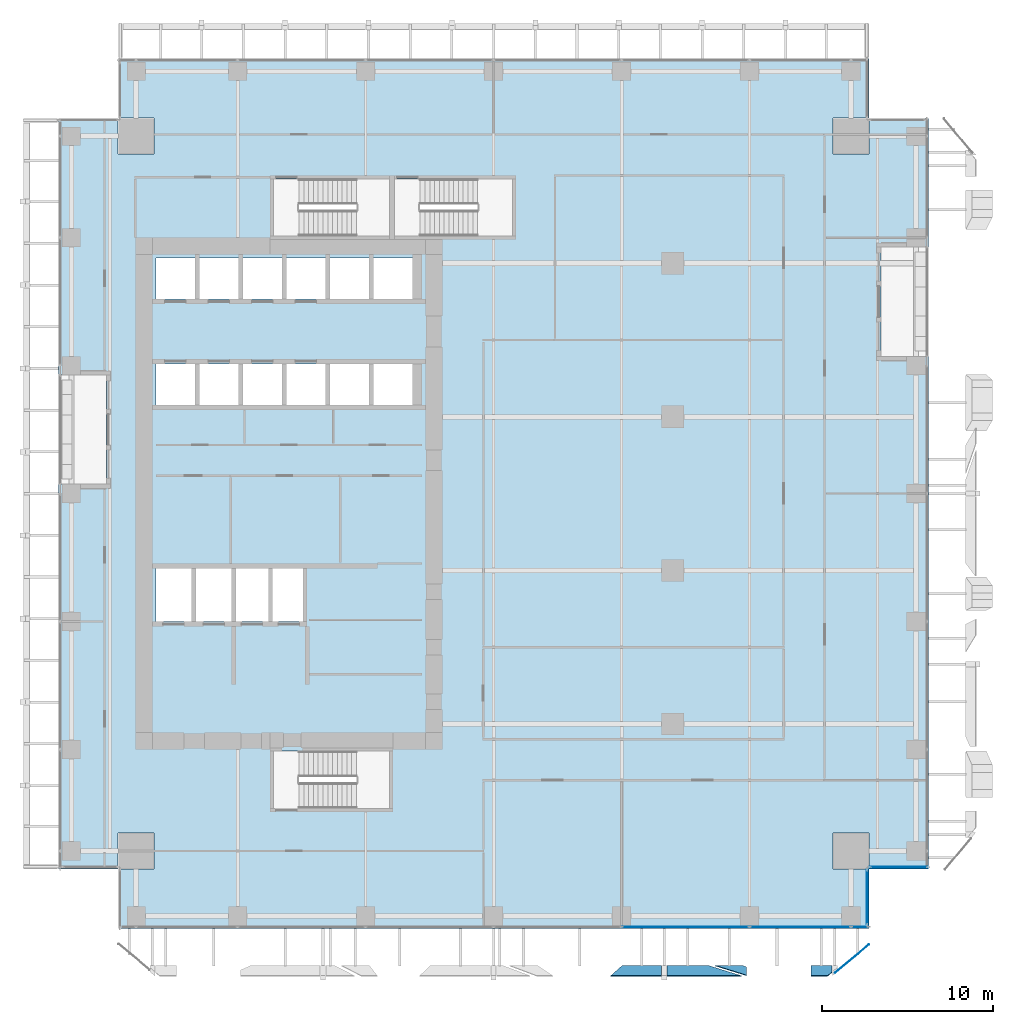
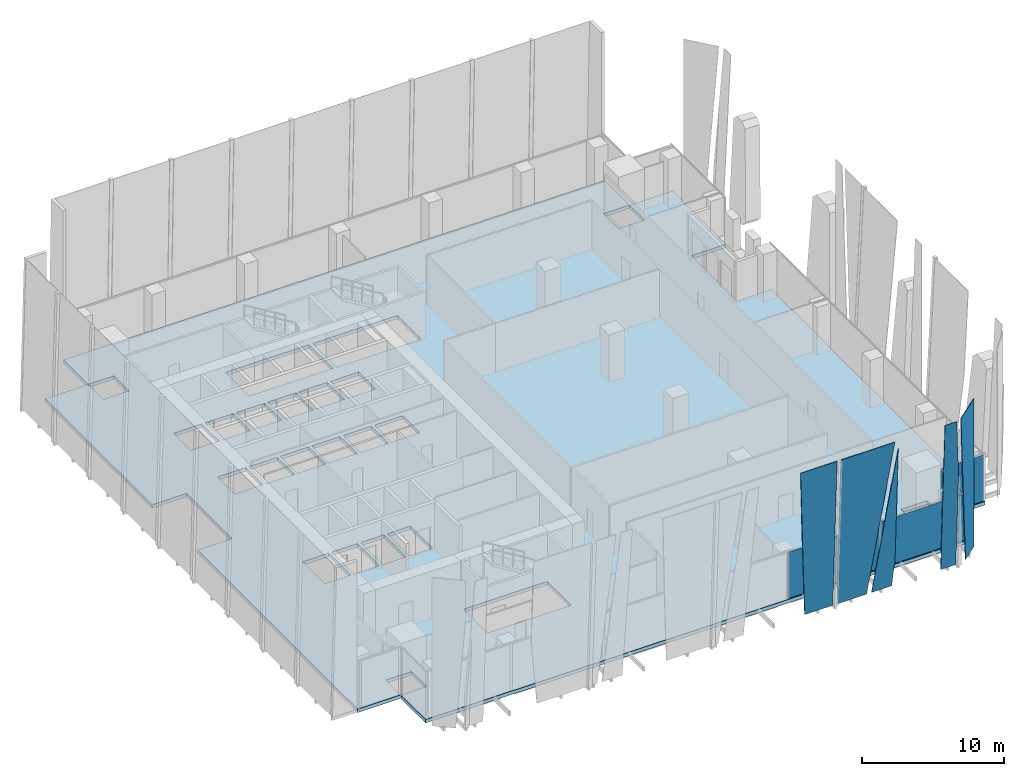
# One storey, part 23 of 35: 10 plates, 1 slab, 3 elements without a shape of their own.
"""IFC4 building model written with IfcOpenShell, lengths in metres."""

from ifc_helpers import new_model, si_unit, direction, frame, origin, origin_2d, place, context, subcontext, project, spatial, polyline, rectangle, outline, extrude, source, transform, mapped, material, layer, layer_set, type_object, element, aggregate, save


model = new_model("IFC4")

# Units and contexts
model_context = context("Model", 3, precision=1e-05, world=origin(), true_north=direction((0.0, 1.0)))
body_context = subcontext(model_context, "Body", "Model", "MODEL_VIEW")
ifc_project = project(units=[si_unit("LENGTHUNIT", "METRE"), si_unit("AREAUNIT", "SQUARE_METRE"), si_unit("VOLUMEUNIT", "CUBIC_METRE"), si_unit("PLANEANGLEUNIT", "RADIAN"), si_unit("MASSUNIT", "GRAM", prefix="KILO")], contexts=[model_context])

# Site, building, storey
site_placement = place(None, origin())
site = spatial("IfcSite", under=ifc_project, at=site_placement, CompositionType="ELEMENT")
building_placement = place(site_placement, origin())
building = spatial("IfcBuilding", under=site, at=building_placement, Name="Khomas Fold Tower", CompositionType="ELEMENT")
storey_placement = place(building_placement, frame((0.0, 0.0, 127.89990234375)))
storey = spatial("IfcBuildingStorey", under=building, at=storey_placement, Name="L27", CompositionType="ELEMENT", Elevation=127.89990234375)

# Plates
ifc_material_1 = material(Name="Clear laminated glass", Category="glass")
ifc_layer_1 = layer(ifc_material_1, 0.0400390625)
ifc_layer_set_1 = layer_set([ifc_layer_1], Name="Clear laminated glass")
plate_type_1 = type_object("IfcPlateType", Name="SK-Clear laminated glass leaf", PredefinedType="SHEET", material=ifc_layer_set_1)
plate_1_placement = place(storey_placement, frame((41.619140625, -0.653076171875, 0.0), z_axis=(7.2920309e-05, 0.998874894176, 0.047422995134), x_axis=(-0.999999997341, 7.2838266e-05, 3.458099e-06)))
element("IfcPlate", 1, at=plate_1_placement, inside=storey, type_object=plate_type_1, Name="OUTER SKIN glass L27 SG105-12", PredefinedType="SHEET", context=body_context, shape_type="SweptSolid", body=[
    extrude(outline(polyline([(0.0, 0.0), (1.634765620653672, 0.0), (-0.21093750056081656, 12.102973291789342), (-0.21093750925347263, 2.1696838289001117), (0.0, 0.0)])), origin(), (0.0, 0.0, -1.0), 0.0400390625),
])
plate_2_placement = place(storey_placement, frame((34.541259765625, -0.653076171875, 0.0), z_axis=(0.0, 0.998875266546, 0.047415207295), x_axis=(-0.053325897076, -0.047347743142, 0.997454028976)))
element("IfcPlate", 2, at=plate_2_placement, inside=storey, type_object=plate_type_1, Name="OUTER SKIN glass L27 SG104-13", PredefinedType="SHEET", context=body_context, shape_type="SweptSolid", body=[
    extrude(outline(polyline([(0.0, 0.0), (12.782543986603118, 0.0), (12.624141596533633, 2.9662325028012275), (-0.12205329225786224, 2.285561741905277), (0.0, 0.0)])), origin(), (0.0, 0.0, -1.0), 0.0400390625),
])
plate_3_placement = place(storey_placement, frame((39.579833984375, -0.653076171875, 0.0), z_axis=(0.0, 0.998875266546, 0.047415207295), x_axis=(-1.0, 0.0, 0.0)))
element("IfcPlate", 3, at=plate_3_placement, inside=storey, type_object=plate_type_1, Name="OUTER SKIN glass L27 SG105-15", PredefinedType="SHEET", context=body_context, shape_type="SweptSolid", body=[
    extrude(outline(polyline([(0.0, 0.0), (2.409912109375, 0.0), (2.409912109375, 12.764356498773964), (-1.9462890625, 12.764356498773964), (0.0, 0.0)])), origin(), (0.0, 0.0, -1.0), 0.0400390625),
])
plate_4_placement = place(storey_placement, frame((46.830078125, -1.04150390625, 8.178955078125), z_axis=(7.7752314e-05, 0.998875188287, 0.047416792155), x_axis=(-1.624e-09, 0.047416792298, -0.998875191307)))
element("IfcPlate", 4, at=plate_4_placement, inside=storey, type_object=plate_type_1, Name="OUTER SKIN glass L27 SG106-16", PredefinedType="SHEET", context=body_context, shape_type="SweptSolid", body=[
    extrude(outline(polyline([(0.0, 0.0), (8.18817331555536, 0.0), (8.188173317552712, 1.2299804650321244), (-4.576183181205183, 1.2299804873348392), (-4.5761831827795145, 0.26049806839030437), (0.0, 0.0)])), origin(), (0.0, 0.0, -1.0), 0.0400390625),
])
plate_5_placement = place(storey_placement, frame((47.72216796875, -0.516845703125, 0.0), z_axis=(0.640167795667, -0.768235115957, 4.24514e-07), x_axis=(-0.056809906111, -0.047338956863, 0.997262080765)))
element("IfcPlate", 5, at=plate_5_placement, inside=storey, type_object=plate_type_1, Name="OUTER SKIN glass L27 SG107-18", PredefinedType="SHEET", context=body_context, shape_type="SweptSolid", body=[
    extrude(outline(polyline([(0.0, 0.0), (12.785004309226066, 0.0), (12.589622997567842, -2.6349020904195504), (-0.12546853217994725, -1.6920620243920443), (0.0, 0.0)])), origin(), (0.0, 0.0, -1.0), 0.0400390625),
])

# Slab
ifc_material_2 = material(Name="Concrete C40/50", Category="concrete")
ifc_layer_2 = layer(ifc_material_2, 0.300048828125)
ifc_layer_set_2 = layer_set([ifc_layer_2], Name="Concrete C40/50")
slab_type = type_object("IfcSlabType", Name="RC floor slab 300", PredefinedType="FLOOR", material=ifc_layer_set_2)
shared_shape_1 = source(origin(), body_context, "Body", "SweptSolid", [
    extrude(outline(polyline([(1.5, 5.0), (4.9951171875, 5.0), (4.9951171875, 7.10498046875), (7.10498046875, 7.10498046875), (7.10498046875, 4.9951171875), (5.0, 4.9951171875), (5.0, 1.5), (49.0, 1.5), (49.0, 4.9951171875), (46.89501953125, 4.9951171875), (46.89501953125, 7.10498046875), (49.0048828125, 7.10498046875), (49.0048828125, 5.0), (52.5, 5.0), (52.5, 35.050048828125), (49.699951171875, 35.050048828125), (49.699951171875, 41.449951171875), (52.5, 41.449951171875), (52.5, 49.0), (49.0048828125, 49.0), (49.0048828125, 46.89501953125), (46.89501953125, 46.89501953125), (46.89501953125, 49.0048828125), (49.0, 49.0048828125), (49.0, 52.5), (5.0, 52.5), (5.0, 49.0048828125), (7.10498046875, 49.0048828125), (7.10498046875, 46.89501953125), (4.9951171875, 46.89501953125), (4.9951171875, 49.0), (1.5, 49.0), (1.5, 33.949951171875), (4.300048828125, 33.949951171875), (4.300048828125, 27.550048828125), (1.5, 27.550048828125), (1.5, 5.0)]), holes=[polyline([(7.199951171875, 19.5), (7.199951171875, 22.60009765625), (9.300048828125, 22.60009765625), (9.300048828125, 19.5), (7.199951171875, 19.5)]), polyline([(7.199951171875, 32.199951171875), (7.199951171875, 34.60009765625), (9.5, 34.60009765625), (9.5, 32.199951171875), (7.199951171875, 32.199951171875)]), polyline([(7.199951171875, 38.39990234375), (7.199951171875, 40.800048828125), (9.5, 40.800048828125), (9.5, 38.39990234375), (7.199951171875, 38.39990234375)]), polyline([(9.550048828125, 19.5), (9.550048828125, 22.60009765625), (11.64990234375, 22.60009765625), (11.64990234375, 19.5), (9.550048828125, 19.5)]), polyline([(9.75, 32.199951171875), (9.75, 34.60009765625), (12.050048828125, 34.60009765625), (12.050048828125, 32.199951171875), (9.75, 32.199951171875)]), polyline([(9.75, 38.39990234375), (9.75, 40.800048828125), (12.050048828125, 40.800048828125), (12.050048828125, 38.39990234375), (9.75, 38.39990234375)]), polyline([(11.89990234375, 19.5), (11.89990234375, 22.60009765625), (13.800048828125, 22.60009765625), (13.800048828125, 19.5), (11.89990234375, 19.5)]), polyline([(12.300048828125, 32.199951171875), (12.300048828125, 34.60009765625), (14.60009765625, 34.60009765625), (14.60009765625, 32.199951171875), (12.300048828125, 32.199951171875)]), polyline([(12.300048828125, 38.39990234375), (12.300048828125, 40.800048828125), (14.60009765625, 40.800048828125), (14.60009765625, 38.39990234375), (12.300048828125, 38.39990234375)]), polyline([(14.050048828125, 19.5), (14.050048828125, 22.60009765625), (15.949951171875, 22.60009765625), (15.949951171875, 19.5), (14.050048828125, 19.5)]), polyline([(14.10009765625, 8.550048828125), (14.10009765625, 11.89990234375), (20.89990234375, 11.89990234375), (20.89990234375, 8.550048828125), (14.10009765625, 8.550048828125)]), polyline([(14.10009765625, 42.10009765625), (14.10009765625, 45.449951171875), (20.89990234375, 45.449951171875), (20.89990234375, 42.10009765625), (14.10009765625, 42.10009765625)]), polyline([(14.85009765625, 32.199951171875), (14.85009765625, 34.60009765625), (17.14990234375, 34.60009765625), (17.14990234375, 32.199951171875), (14.85009765625, 32.199951171875)]), polyline([(14.85009765625, 38.39990234375), (14.85009765625, 40.800048828125), (17.14990234375, 40.800048828125), (17.14990234375, 38.39990234375), (14.85009765625, 38.39990234375)]), polyline([(17.39990234375, 32.199951171875), (17.39990234375, 34.60009765625), (19.699951171875, 34.60009765625), (19.699951171875, 32.199951171875), (17.39990234375, 32.199951171875)]), polyline([(17.39990234375, 38.39990234375), (17.39990234375, 40.800048828125), (19.699951171875, 40.800048828125), (19.699951171875, 38.39990234375), (17.39990234375, 38.39990234375)]), polyline([(19.949951171875, 32.199951171875), (19.949951171875, 34.60009765625), (22.25, 34.60009765625), (22.25, 32.199951171875), (19.949951171875, 32.199951171875)]), polyline([(19.949951171875, 38.39990234375), (19.949951171875, 40.800048828125), (22.25, 40.800048828125), (22.25, 38.39990234375), (19.949951171875, 38.39990234375)]), polyline([(21.199951171875, 42.10009765625), (21.199951171875, 45.449951171875), (28.10009765625, 45.449951171875), (28.10009765625, 42.10009765625), (21.199951171875, 42.10009765625)])]), origin(), (0.0, 0.0, 1.0), 0.2998046875),
])
slab_placement = place(storey_placement, frame((0.0, 0.0, -0.2998046875)))
element("IfcSlab", 6, at=slab_placement, inside=storey, type_object=slab_type, Name="S-L27", PredefinedType="FLOOR", context=body_context, shape_type="MappedRepresentation", body=[
    mapped(shared_shape_1, transform((0.0, 0.0, 0.0))),
])

# Curtain wall, plates
ifc_material_3 = material(Name="Aluminium framed double glazing", Category="aluminium")
curtain_wall_type = type_object("IfcCurtainWallType", Name="SK-Unitised clear-glass wall, growing floors CW1", PredefinedType="NOTDEFINED", material=ifc_material_3)
curtain_wall_1_placement = place(storey_placement, origin())
curtain_wall_1 = element("IfcCurtainWall", 7, at=curtain_wall_1_placement, inside=storey, type_object=curtain_wall_type, Name="CW1 run L27 00-0", PredefinedType="NOTDEFINED")
ifc_material_4 = material(Name="Clear double glazed unit")
ifc_layer_3 = layer(ifc_material_4, 0.031982421875)
ifc_layer_set_3 = layer_set([ifc_layer_3], Name="Clear double glazed unit")
plate_type_2 = type_object("IfcPlateType", Name="SK-Unitised clear-glass wall, growing floors glass panel CW1-P", PredefinedType="CURTAIN_PANEL", material=ifc_layer_set_3)
shared_shape_2 = source(origin(), body_context, "Body", "SweptSolid", [
    extrude(rectangle(XDim=5.889892578125, YDim=0.031982421875, at=origin_2d()), origin(), (0.0, 0.0, 1.0), 3.97998046875),
])
plate_6_placement = place(storey_placement, frame((44.97509765625, 1.60009765625, 0.0), z_axis=(0.0, 0.0, 1.0), x_axis=(1.0, 0.0, 0.0)))
plate_6 = element("IfcPlate", 8, at=plate_6_placement, type_object=plate_type_2, Name="CW1 glass panel 7", PredefinedType="CURTAIN_PANEL", context=body_context, shape_type="MappedRepresentation", body=[
    mapped(shared_shape_2, transform((0.0, 0.0, 0.0))),
])
shared_shape_3 = source(origin(), body_context, "Body", "SweptSolid", [
    extrude(rectangle(XDim=7.43994140625, YDim=0.031982421875, at=origin_2d()), origin(), (0.0, 0.0, 1.0), 3.97998046875),
])
plate_7_placement = place(storey_placement, frame((38.25, 1.60009765625, 0.0), z_axis=(0.0, 0.0, 1.0), x_axis=(1.0, 0.0, 0.0)))
plate_7 = element("IfcPlate", 9, at=plate_7_placement, type_object=plate_type_2, Name="CW1 glass panel 6", PredefinedType="CURTAIN_PANEL", context=body_context, shape_type="MappedRepresentation", body=[
    mapped(shared_shape_3, transform((0.0, 0.0, 0.0))),
])
shared_shape_4 = source(origin(), body_context, "Body", "SweptSolid", [
    extrude(rectangle(XDim=0.9599609375, YDim=0.031982421875, at=origin_2d()), origin(), (0.0, 0.0, 1.0), 3.97998046875),
])
plate_8_placement = place(storey_placement, frame((48.4599609375, 1.60009765625, 0.0), z_axis=(0.0, 0.0, 1.0), x_axis=(1.0, 0.0, 0.0)))
plate_8 = element("IfcPlate", 10, at=plate_8_placement, type_object=plate_type_2, Name="CW1 glass panel 8", PredefinedType="CURTAIN_PANEL", context=body_context, shape_type="MappedRepresentation", body=[
    mapped(shared_shape_4, transform((0.0, 0.0, 0.0))),
])
aggregate(curtain_wall_1, [plate_7, plate_6, plate_8])

# Curtain wall, plate
curtain_wall_2_placement = place(storey_placement, origin())
curtain_wall_2 = element("IfcCurtainWall", 11, at=curtain_wall_2_placement, inside=storey, type_object=curtain_wall_type, Name="CW1 corner return L27 01", PredefinedType="NOTDEFINED")
shared_shape_5 = source(origin(), body_context, "Body", "SweptSolid", [
    extrude(rectangle(XDim=3.179931640625, YDim=0.031982421875, at=origin_2d()), origin(), (0.0, 0.0, 1.0), 3.97998046875),
])
plate_9_placement = place(storey_placement, frame((48.89990234375, 3.35009765625, 0.0), z_axis=(0.0, 0.0, 1.0), x_axis=(0.0, 1.0, 0.0)))
plate_9 = element("IfcPlate", 12, at=plate_9_placement, type_object=plate_type_2, Name="CW1 glass panel 1", PredefinedType="CURTAIN_PANEL", context=body_context, shape_type="MappedRepresentation", body=[
    mapped(shared_shape_5, transform((0.0, 0.0, 0.0))),
])
aggregate(curtain_wall_2, [plate_9])

curtain_wall_3_placement = place(storey_placement, origin())
curtain_wall_3 = element("IfcCurtainWall", 13, at=curtain_wall_3_placement, inside=storey, type_object=curtain_wall_type, Name="CW1 corner return L27 02", PredefinedType="NOTDEFINED")
shared_shape_6 = source(origin(), body_context, "Body", "SweptSolid", [
    extrude(rectangle(XDim=3.3798828125, YDim=0.031982421875, at=origin_2d()), origin(), (0.0, 0.0, 1.0), 3.97998046875),
])
plate_10_placement = place(storey_placement, frame((50.75, 5.10009765625, 0.0), z_axis=(0.0, 0.0, 1.0), x_axis=(1.0, 0.0, 0.0)))
plate_10 = element("IfcPlate", 14, at=plate_10_placement, type_object=plate_type_2, Name="CW1 glass panel 1", PredefinedType="CURTAIN_PANEL", context=body_context, shape_type="MappedRepresentation", body=[
    mapped(shared_shape_6, transform((0.0, 0.0, 0.0))),
])
aggregate(curtain_wall_3, [plate_10])

save(model, "model.ifc")
